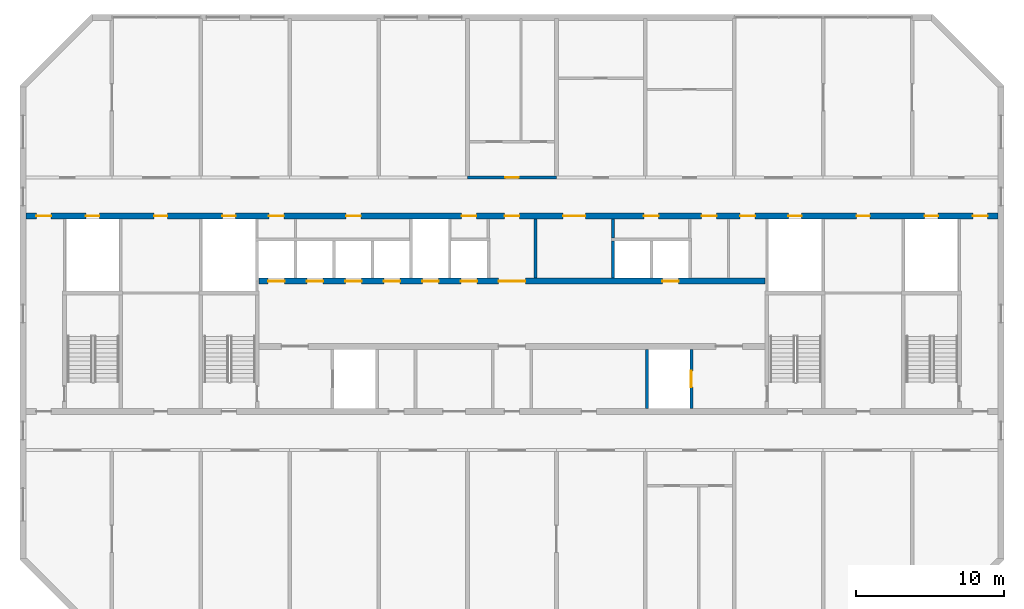
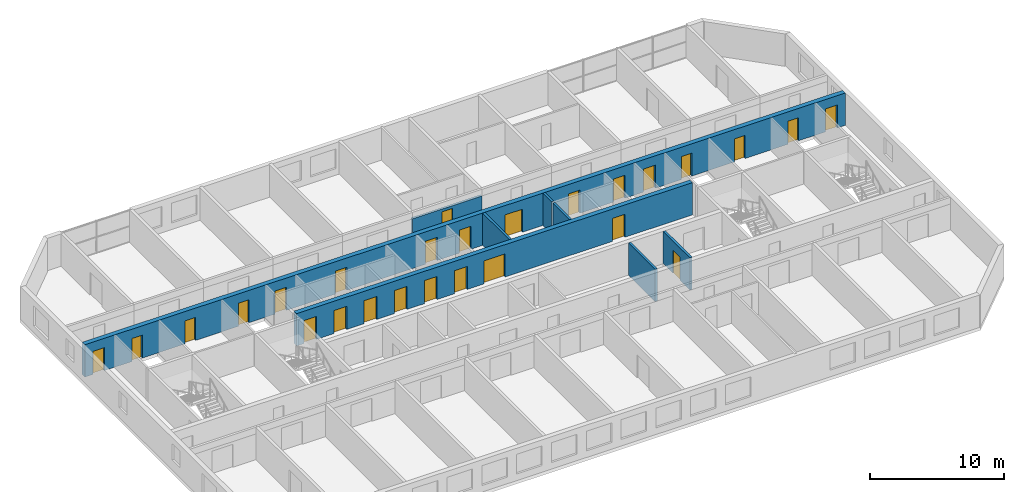
# One storey, part 8 of 13: 26 doors, 8 walls, 26 openings.
"""IFC4 building model written with IfcOpenShell, lengths in metres."""

import ifcopenshell
import ifcopenshell.guid

model = None  # the IFC model being written
_history = None  # IfcOwnerHistory: only IFC2X3 demands one
_inside = {}  # id of a spatial element -> (the spatial element, [elements in it])
_under = {}  # id of a project, library or spatial element -> (it, [spatial elements below it])
_declared = {}  # id of a project -> (the project, [libraries it declares])
_typed = {}  # id of a type object -> (the type object, [elements of that type])
_made_of = {}  # id of a material, layer set ... -> (it, [elements and type objects made of it])


def new_model(schema):
    """Start an empty IFC model of exactly this schema.

    Asked for "IFC4X3", IfcOpenShell would pick the latest addendum, in which some entities
    have other attributes; the version numbers below select the first issue.
    IFC2X3 requires an IfcOwnerHistory on every rooted entity: one is made here for all.
    """
    global model, _history
    if schema == "IFC4X3":
        model = ifcopenshell.file(schema_version=(4, 3, 0, 0))
    else:
        model = ifcopenshell.file(schema=schema)
    _inside.clear()
    _under.clear()
    _declared.clear()
    _typed.clear()
    _made_of.clear()
    _history = None
    if model.schema == "IFC2X3":
        org = make("IfcOrganization", Name="unknown")
        user = make(
            "IfcPersonAndOrganization",
            ThePerson=make("IfcPerson", FamilyName="unknown"),
            TheOrganization=org,
        )
        app = make(
            "IfcApplication",
            ApplicationDeveloper=org,
            Version="unknown",
            ApplicationFullName="unknown",
            ApplicationIdentifier="unknown",
        )
        _history = make(
            "IfcOwnerHistory",
            OwningUser=user,
            OwningApplication=app,
            ChangeAction="ADDED",
            CreationDate=0,
        )
    return model


def make(cls, **values):
    """One entity of the class cls with the attributes given. An attribute that is None is left unset."""
    return model.create_entity(
        cls, **{name: value for name, value in values.items() if value is not None}
    )


def rooted(cls, **values):
    """An entity with a GlobalId (a new one), such as an element, a storey or a relation."""
    return make(cls, GlobalId=ifcopenshell.guid.new(), OwnerHistory=_history, **values)


def si_unit(unit_type, name, prefix=None):
    """IfcSIUnit, for example si_unit("LENGTHUNIT", "METRE", prefix="MILLI")."""
    return make("IfcSIUnit", UnitType=unit_type, Prefix=prefix, Name=name)


def assignment(units):
    """IfcUnitAssignment: the units of a project."""
    return None if units is None else make("IfcUnitAssignment", Units=units)


def point(xyz):
    """IfcCartesianPoint."""
    return None if xyz is None else make("IfcCartesianPoint", Coordinates=xyz)


def direction(xyz):
    """IfcDirection."""
    return None if xyz is None else make("IfcDirection", DirectionRatios=xyz)


def frame(location, z_axis=None, x_axis=None):
    """IfcAxis2Placement3D, a coordinate frame: its origin and axes. An axis left out is left unset."""
    return make(
        "IfcAxis2Placement3D",
        Location=point(location),
        Axis=direction(z_axis),
        RefDirection=direction(x_axis),
    )


def frame_2d(location, x_axis=None):
    """IfcAxis2Placement2D, a coordinate frame in the plane: its origin and x axis."""
    return make(
        "IfcAxis2Placement2D", Location=point(location), RefDirection=direction(x_axis)
    )


def origin():
    """The frame at (0, 0, 0) with its axes left unset."""
    return frame((0.0, 0.0, 0.0))


def place(relative_to, where):
    """IfcLocalPlacement: puts the frame where relative to a parent placement (None: the world)."""
    return make(
        "IfcLocalPlacement", PlacementRelTo=relative_to, RelativePlacement=where
    )


def context(
    kind, dimensions, precision=None, world=None, true_north=None, identifier=None
):
    """IfcGeometricRepresentationContext, for example the 3D "Model" context."""
    return make(
        "IfcGeometricRepresentationContext",
        ContextIdentifier=identifier,
        ContextType=kind,
        CoordinateSpaceDimension=dimensions,
        Precision=precision,
        WorldCoordinateSystem=world,
        TrueNorth=true_north,
    )


def subcontext(parent, identifier, kind, view, scale=None):
    """IfcGeometricRepresentationSubContext, for example "Body" below "Model"."""
    return make(
        "IfcGeometricRepresentationSubContext",
        ContextIdentifier=identifier,
        ContextType=kind,
        ParentContext=parent,
        TargetScale=scale,
        TargetView=view,
    )


def project(units=None, contexts=None):
    """IfcProject with its units and contexts."""
    return rooted(
        "IfcProject",
        Name="project",
        RepresentationContexts=contexts,
        UnitsInContext=assignment(units),
    )


def spatial(cls, under=None, at=None, **own):
    """A site, building, storey or space (cls), placed at a placement, below another one or the project."""
    s = rooted(cls, ObjectPlacement=at, **own)
    if under is not None:
        _under.setdefault(under.id(), (under, []))[1].append(s)
    return s


def profile(cls, at=None, kind="AREA", **sizes):
    """A parametric profile (cls). Its sizes go by their IFC names, for example OverallWidth=200.0."""
    return make(cls, ProfileType=kind, Position=at, **sizes)


def rectangle(**sizes):
    """IfcRectangleProfileDef."""
    return profile("IfcRectangleProfileDef", **sizes)


def extrude(swept, where, along, depth):
    """IfcExtrudedAreaSolid: the profile swept, set in the frame where, extruded along a direction by depth."""
    return make(
        "IfcExtrudedAreaSolid",
        SweptArea=swept,
        Position=where,
        ExtrudedDirection=direction(along),
        Depth=depth,
    )


def shape(context_of_items, identifier, shape_type, items):
    """IfcShapeRepresentation: the items that make up one representation, for example the "Body"."""
    return make(
        "IfcShapeRepresentation",
        ContextOfItems=context_of_items,
        RepresentationIdentifier=identifier,
        RepresentationType=shape_type,
        Items=items,
    )


def material(Name=None, Category=None):
    """IfcMaterial."""
    return make("IfcMaterial", Name=Name, Category=Category)


def layer(
    of_material, thickness, ventilated=None, Name=None, Category=None, Priority=None
):
    """IfcMaterialLayer: one layer of a wall or slab, of a material (None: an air gap)."""
    return make(
        "IfcMaterialLayer",
        Material=of_material,
        LayerThickness=thickness,
        IsVentilated=ventilated,
        Name=Name,
        Category=Category,
        Priority=Priority,
    )


def layer_set(layers, Name=None):
    """IfcMaterialLayerSet."""
    return make("IfcMaterialLayerSet", MaterialLayers=layers, LayerSetName=Name)


def made_of(thing, what):
    """Note that an element or type object is made of a material, layer set ...; save() writes the relation."""
    if what is not None:
        _made_of.setdefault(what.id(), (what, []))[1].append(thing)
    return thing


def type_object(cls, material=None, **own):
    """A type object (cls), such as IfcWallType, which elements share."""
    return made_of(rooted(cls, **own), material)


def element(
    cls,
    number,
    at=None,
    inside=None,
    cuts=None,
    type_object=None,
    material=None,
    context=None,
    identifier="Body",
    shape_type=None,
    held_by="IfcProductDefinitionShape",
    body=None,
    shapes=None,
    **own,
):
    """One element of the class cls, such as IfcWall. Its Tag is "e" and its number.

    at: its placement. inside: the storey or other place that contains it. cuts: it is an
    opening in that element (IfcRelVoidsElement). A single representation is given by context,
    identifier, shape_type and body (its items); several are given by shapes. held_by: the class
    of the entity that holds the representations. save() writes the other relations.
    """
    e = rooted(cls, Tag="e%d" % number, ObjectPlacement=at, **own)
    if body is not None:
        shapes = [shape(context, identifier, shape_type, body)]
    if shapes is not None:
        e.Representation = make(held_by, Representations=shapes)
    if inside is not None:
        _inside.setdefault(inside.id(), (inside, []))[1].append(e)
    if cuts is not None:
        rooted(
            "IfcRelVoidsElement", RelatingBuildingElement=cuts, RelatedOpeningElement=e
        )
    if type_object is not None:
        _typed.setdefault(type_object.id(), (type_object, []))[1].append(e)
    return made_of(e, material)


def fill(opening, filler):
    """IfcRelFillsElement: the door or window that sits in an opening."""
    return rooted(
        "IfcRelFillsElement",
        RelatingOpeningElement=opening,
        RelatedBuildingElement=filler,
    )


def aggregate(whole, parts):
    """IfcRelAggregates: a whole, such as a stair, and the parts it consists of."""
    return rooted("IfcRelAggregates", RelatingObject=whole, RelatedObjects=parts)


def save(model, path):
    """Write the relations noted so far, then the file.

    IfcRelAggregates (storeys below a building ...), IfcRelContainedInSpatialStructure (elements
    in a storey), IfcRelDefinesByType, IfcRelAssociatesMaterial and IfcRelDeclares: one each for
    every whole, place, type object, material and project.
    """
    for whole, parts in _under.values():
        aggregate(whole, parts)
    for where, things in _inside.values():
        rooted(
            "IfcRelContainedInSpatialStructure",
            RelatedElements=things,
            RelatingStructure=where,
        )
    for kind, things in _typed.values():
        rooted("IfcRelDefinesByType", RelatedObjects=things, RelatingType=kind)
    for what, things in _made_of.values():
        rooted("IfcRelAssociatesMaterial", RelatedObjects=things, RelatingMaterial=what)
    for by, libraries in _declared.values():
        rooted("IfcRelDeclares", RelatingContext=by, RelatedDefinitions=libraries)
    model.write(path)


model = new_model("IFC4")

# Units and contexts
model_context = context("Model", 3, precision=1e-05, world=origin(), true_north=direction((0.0, 1.0)))
body_context = subcontext(model_context, "Body", "Model", "MODEL_VIEW")
ifc_project = project(units=[si_unit("LENGTHUNIT", "METRE"), si_unit("AREAUNIT", "SQUARE_METRE"), si_unit("VOLUMEUNIT", "CUBIC_METRE"), si_unit("PLANEANGLEUNIT", "RADIAN"), si_unit("MASSUNIT", "GRAM", prefix="KILO")], contexts=[model_context])

# Site, building, storey
site_placement = place(None, origin())
site = spatial("IfcSite", under=ifc_project, at=site_placement, CompositionType="ELEMENT")
building_placement = place(site_placement, origin())
building = spatial("IfcBuilding", under=site, at=building_placement, Name="Poui Terraces", CompositionType="ELEMENT")
storey_placement = place(building_placement, frame((0.0, 0.0, 211.5)))
storey = spatial("IfcBuildingStorey", under=building, at=storey_placement, Name="L59", CompositionType="ELEMENT", Elevation=211.5)

# Wall, openings, doors
ifc_material_1 = material(Name="Concrete 50 MPa", Category="concrete")
ifc_layer_1 = layer(ifc_material_1, 0.39990234375)
ifc_layer_set_1 = layer_set([ifc_layer_1], Name="Concrete 50 MPa")
wall_type_1 = type_object("IfcWallType", Name="CORE WALL 400 50 MPA", PredefinedType="SOLIDWALL", material=ifc_layer_set_1)
wall_1_placement = place(storey_placement, frame((33.925048828125, 23.39990234375, 0.0), z_axis=(0.0, 0.0, 1.0), x_axis=(1.0, 0.0, 0.0)))
wall_1 = element("IfcWall", 1, at=wall_1_placement, inside=storey, type_object=wall_type_1, Name="CORE WALL", PredefinedType="SOLIDWALL", context=body_context, shape_type="SweptSolid", body=[
    extrude(rectangle(XDim=34.14990234375, YDim=0.39990234375, at=frame_2d((17.074951171875, 0.0))), origin(), (0.0, 0.0, 1.0), 2.949951171875),
])
opening_1_placement = place(wall_1_placement, frame((16.175048828125, 0.0, 0.0)))
opening_1 = element("IfcOpeningElement", 2, at=opening_1_placement, cuts=wall_1, Name="Opening FDD60", PredefinedType="OPENING", context=body_context, shape_type="SweptSolid", body=[
    extrude(rectangle(XDim=1.800048828125, YDim=2.10009765625, at=frame_2d((0.89990234375, 1.050048828125))), frame((0.0, 0.2099609375, 0.0), z_axis=(0.0, -1.0, 0.0), x_axis=(1.0, 0.0, 0.0)), (0.0, 0.0, 1.0), 0.419921875),
])
opening_2_placement = place(wall_1_placement, frame((0.625, 0.0, 0.0)))
opening_2 = element("IfcOpeningElement", 3, at=opening_2_placement, cuts=wall_1, Name="Opening LD", PredefinedType="OPENING", context=body_context, shape_type="SweptSolid", body=[
    extrude(rectangle(XDim=1.10009765625, YDim=2.10009765625, at=frame_2d((0.550048828125, 1.050048828125))), frame((0.0, 0.2099609375, 0.0), z_axis=(0.0, -1.0, 0.0), x_axis=(1.0, 0.0, 0.0)), (0.0, 0.0, 1.0), 0.419921875),
])
opening_3_placement = place(wall_1_placement, frame((3.22509765625, 0.0, 0.0)))
opening_3 = element("IfcOpeningElement", 4, at=opening_3_placement, cuts=wall_1, Name="Opening LD", PredefinedType="OPENING", context=body_context, shape_type="SweptSolid", body=[
    extrude(rectangle(XDim=1.10009765625, YDim=2.10009765625, at=frame_2d((0.550048828125, 1.050048828125))), frame((0.0, 0.2099609375, 0.0), z_axis=(0.0, -1.0, 0.0), x_axis=(1.0, 0.0, 0.0)), (0.0, 0.0, 1.0), 0.419921875),
])
opening_4_placement = place(wall_1_placement, frame((5.824951171875, 0.0, 0.0)))
opening_4 = element("IfcOpeningElement", 5, at=opening_4_placement, cuts=wall_1, Name="Opening LD", PredefinedType="OPENING", context=body_context, shape_type="SweptSolid", body=[
    extrude(rectangle(XDim=1.10009765625, YDim=2.10009765625, at=frame_2d((0.550048828125, 1.050048828125))), frame((0.0, 0.2099609375, 0.0), z_axis=(0.0, -1.0, 0.0), x_axis=(1.0, 0.0, 0.0)), (0.0, 0.0, 1.0), 0.419921875),
])
opening_5_placement = place(wall_1_placement, frame((8.425048828125, 0.0, 0.0)))
opening_5 = element("IfcOpeningElement", 6, at=opening_5_placement, cuts=wall_1, Name="Opening LD", PredefinedType="OPENING", context=body_context, shape_type="SweptSolid", body=[
    extrude(rectangle(XDim=1.10009765625, YDim=2.10009765625, at=frame_2d((0.550048828125, 1.050048828125))), frame((0.0, 0.2099609375, 0.0), z_axis=(0.0, -1.0, 0.0), x_axis=(1.0, 0.0, 0.0)), (0.0, 0.0, 1.0), 0.419921875),
])
opening_6_placement = place(wall_1_placement, frame((11.02490234375, 0.0, 0.0)))
opening_6 = element("IfcOpeningElement", 7, at=opening_6_placement, cuts=wall_1, Name="Opening LD", PredefinedType="OPENING", context=body_context, shape_type="SweptSolid", body=[
    extrude(rectangle(XDim=1.10009765625, YDim=2.10009765625, at=frame_2d((0.550048828125, 1.050048828125))), frame((0.0, 0.2099609375, 0.0), z_axis=(0.0, -1.0, 0.0), x_axis=(1.0, 0.0, 0.0)), (0.0, 0.0, 1.0), 0.419921875),
])
opening_7_placement = place(wall_1_placement, frame((13.625, 0.0, 0.0)))
opening_7 = element("IfcOpeningElement", 8, at=opening_7_placement, cuts=wall_1, Name="Opening LD", PredefinedType="OPENING", context=body_context, shape_type="SweptSolid", body=[
    extrude(rectangle(XDim=1.10009765625, YDim=2.10009765625, at=frame_2d((0.550048828125, 1.050048828125))), frame((0.0, 0.2099609375, 0.0), z_axis=(0.0, -1.0, 0.0), x_axis=(1.0, 0.0, 0.0)), (0.0, 0.0, 1.0), 0.419921875),
])
opening_8_placement = place(wall_1_placement, frame((27.22509765625, 0.0, 0.0)))
opening_8 = element("IfcOpeningElement", 9, at=opening_8_placement, cuts=wall_1, Name="Opening LD", PredefinedType="OPENING", context=body_context, shape_type="SweptSolid", body=[
    extrude(rectangle(XDim=1.10009765625, YDim=2.10009765625, at=frame_2d((0.550048828125, 1.050048828125))), frame((0.0, 0.2099609375, 0.0), z_axis=(0.0, -1.0, 0.0), x_axis=(1.0, 0.0, 0.0)), (0.0, 0.0, 1.0), 0.419921875),
])
ifc_material_2 = material(Name="Steel fire door", Category="steel")
door_type_1 = type_object("IfcDoorType", Name="DOUBLE LOBBY FIRE DOOR 1800 X 2100", OperationType="DOUBLE_DOOR_SINGLE_SWING", PredefinedType="DOOR", material=ifc_material_2)
door_1_placement = place(opening_1_placement, origin())
door_1 = element("IfcDoor", 10, at=door_1_placement, inside=storey, type_object=door_type_1, Name="DOUBLE LOBBY FIRE DOOR 064", OperationType="DOUBLE_DOOR_SINGLE_SWING", OverallHeight=2.10009765625, OverallWidth=1.800048828125, PredefinedType="DOOR", context=body_context, shape_type="SweptSolid", body=[
    extrude(rectangle(XDim=1.800048828125, YDim=2.10009765625, at=frame_2d((0.89990234375, 1.050048828125))), frame((0.0, 0.02490234375, 0.0), z_axis=(0.0, -1.0, 0.0), x_axis=(1.0, 0.0, 0.0)), (0.0, 0.0, 1.0), 0.050048828125),
])
fill(opening_1, door_1)
ifc_material_3 = material(Name="Stainless steel sliding door", Category="steel")
door_type_2 = type_object("IfcDoorType", Name="LIFT LANDING DOOR 1100 X 2100", OperationType="DOUBLE_DOOR_SLIDING", PredefinedType="DOOR", material=ifc_material_3)
door_2_placement = place(opening_2_placement, origin())
door_2 = element("IfcDoor", 11, at=door_2_placement, inside=storey, type_object=door_type_2, Name="LANDING DOOR", OperationType="DOUBLE_DOOR_SLIDING", OverallHeight=2.10009765625, OverallWidth=1.10009765625, PredefinedType="DOOR", context=body_context, shape_type="SweptSolid", body=[
    extrude(rectangle(XDim=1.10009765625, YDim=2.10009765625, at=frame_2d((0.550048828125, 1.050048828125))), frame((0.0, 0.02490234375, 0.0), z_axis=(0.0, -1.0, 0.0), x_axis=(1.0, 0.0, 0.0)), (0.0, 0.0, 1.0), 0.050048828125),
])
fill(opening_2, door_2)
door_3_placement = place(opening_3_placement, origin())
door_3 = element("IfcDoor", 12, at=door_3_placement, inside=storey, type_object=door_type_2, Name="LANDING DOOR", OperationType="DOUBLE_DOOR_SLIDING", OverallHeight=2.10009765625, OverallWidth=1.10009765625, PredefinedType="DOOR", context=body_context, shape_type="SweptSolid", body=[
    extrude(rectangle(XDim=1.10009765625, YDim=2.10009765625, at=frame_2d((0.550048828125, 1.050048828125))), frame((0.0, 0.02490234375, 0.0), z_axis=(0.0, -1.0, 0.0), x_axis=(1.0, 0.0, 0.0)), (0.0, 0.0, 1.0), 0.050048828125),
])
fill(opening_3, door_3)
door_4_placement = place(opening_4_placement, origin())
door_4 = element("IfcDoor", 13, at=door_4_placement, inside=storey, type_object=door_type_2, Name="LANDING DOOR", OperationType="DOUBLE_DOOR_SLIDING", OverallHeight=2.10009765625, OverallWidth=1.10009765625, PredefinedType="DOOR", context=body_context, shape_type="SweptSolid", body=[
    extrude(rectangle(XDim=1.10009765625, YDim=2.10009765625, at=frame_2d((0.550048828125, 1.050048828125))), frame((0.0, 0.02490234375, 0.0), z_axis=(0.0, -1.0, 0.0), x_axis=(1.0, 0.0, 0.0)), (0.0, 0.0, 1.0), 0.050048828125),
])
fill(opening_4, door_4)
door_5_placement = place(opening_5_placement, origin())
door_5 = element("IfcDoor", 14, at=door_5_placement, inside=storey, type_object=door_type_2, Name="LANDING DOOR", OperationType="DOUBLE_DOOR_SLIDING", OverallHeight=2.10009765625, OverallWidth=1.10009765625, PredefinedType="DOOR", context=body_context, shape_type="SweptSolid", body=[
    extrude(rectangle(XDim=1.10009765625, YDim=2.10009765625, at=frame_2d((0.550048828125, 1.050048828125))), frame((0.0, 0.02490234375, 0.0), z_axis=(0.0, -1.0, 0.0), x_axis=(1.0, 0.0, 0.0)), (0.0, 0.0, 1.0), 0.050048828125),
])
fill(opening_5, door_5)
door_6_placement = place(opening_6_placement, origin())
door_6 = element("IfcDoor", 15, at=door_6_placement, inside=storey, type_object=door_type_2, Name="LANDING DOOR", OperationType="DOUBLE_DOOR_SLIDING", OverallHeight=2.10009765625, OverallWidth=1.10009765625, PredefinedType="DOOR", context=body_context, shape_type="SweptSolid", body=[
    extrude(rectangle(XDim=1.10009765625, YDim=2.10009765625, at=frame_2d((0.550048828125, 1.050048828125))), frame((0.0, 0.02490234375, 0.0), z_axis=(0.0, -1.0, 0.0), x_axis=(1.0, 0.0, 0.0)), (0.0, 0.0, 1.0), 0.050048828125),
])
fill(opening_6, door_6)
door_7_placement = place(opening_7_placement, origin())
door_7 = element("IfcDoor", 16, at=door_7_placement, inside=storey, type_object=door_type_2, Name="LANDING DOOR", OperationType="DOUBLE_DOOR_SLIDING", OverallHeight=2.10009765625, OverallWidth=1.10009765625, PredefinedType="DOOR", context=body_context, shape_type="SweptSolid", body=[
    extrude(rectangle(XDim=1.10009765625, YDim=2.10009765625, at=frame_2d((0.550048828125, 1.050048828125))), frame((0.0, 0.02490234375, 0.0), z_axis=(0.0, -1.0, 0.0), x_axis=(1.0, 0.0, 0.0)), (0.0, 0.0, 1.0), 0.050048828125),
])
fill(opening_7, door_7)
door_8_placement = place(opening_8_placement, origin())
door_8 = element("IfcDoor", 17, at=door_8_placement, inside=storey, type_object=door_type_2, Name="LANDING DOOR", OperationType="DOUBLE_DOOR_SLIDING", OverallHeight=2.10009765625, OverallWidth=1.10009765625, PredefinedType="DOOR", context=body_context, shape_type="SweptSolid", body=[
    extrude(rectangle(XDim=1.10009765625, YDim=2.10009765625, at=frame_2d((0.550048828125, 1.050048828125))), frame((0.0, 0.02490234375, 0.0), z_axis=(0.0, -1.0, 0.0), x_axis=(1.0, 0.0, 0.0)), (0.0, 0.0, 1.0), 0.050048828125),
])
fill(opening_8, door_8)

# Wall, opening, door
ifc_layer_2 = layer(ifc_material_1, 0.199951171875)
ifc_layer_set_2 = layer_set([ifc_layer_2], Name="Concrete 50 MPa")
wall_type_2 = type_object("IfcWallType", Name="CORRIDOR WALL 200 50MPa", PredefinedType="SHEAR", material=ifc_layer_set_2)
wall_2_placement = place(storey_placement, frame((48.0, 30.39990234375, 0.0), z_axis=(0.0, 0.0, 1.0), x_axis=(1.0, 0.0, 0.0)))
wall_2 = element("IfcWall", 18, at=wall_2_placement, inside=storey, type_object=wall_type_2, Name="CORRIDOR WALL LINE E BAY 6", PredefinedType="SHEAR", context=body_context, shape_type="SweptSolid", body=[
    extrude(rectangle(XDim=6.0, YDim=0.199951171875, at=frame_2d((3.0, 0.0))), origin(), (0.0, 0.0, 1.0), 2.35009765625),
])
opening_9_placement = place(wall_2_placement, frame((2.550048828125, 0.0, 0.0)))
opening_9 = element("IfcOpeningElement", 19, at=opening_9_placement, cuts=wall_2, Name="Opening D90", PredefinedType="OPENING", context=body_context, shape_type="SweptSolid", body=[
    extrude(rectangle(XDim=0.89990234375, YDim=2.10009765625, at=frame_2d((0.449951171875, 1.050048828125))), frame((0.0, 0.10986328125, 0.0), z_axis=(0.0, -1.0, 0.0), x_axis=(1.0, 0.0, 0.0)), (0.0, 0.0, 1.0), 0.219970703125),
])
ifc_material_4 = material(Name="Solid core timber door", Category="wood")
door_type_3 = type_object("IfcDoorType", Name="INTERNAL DOOR 900 X 2100", OperationType="NOTDEFINED", PredefinedType="DOOR", material=ifc_material_4)
door_9_placement = place(opening_9_placement, frame((0.89990234375, 0.0, 0.0), z_axis=(0.0, 0.0, 1.0), x_axis=(-1.0, 0.0, 0.0)))
door_9 = element("IfcDoor", 20, at=door_9_placement, inside=storey, type_object=door_type_3, Name="INTERNAL DOOR 014", OperationType="SINGLE_SWING_LEFT", OverallHeight=2.10009765625, OverallWidth=0.89990234375, PredefinedType="DOOR", context=body_context, shape_type="SweptSolid", body=[
    extrude(rectangle(XDim=0.89990234375, YDim=2.10009765625, at=frame_2d((0.449951171875, 1.050048828125))), frame((0.0, 0.02490234375, 0.0), z_axis=(0.0, -1.0, 0.0), x_axis=(1.0, 0.0, 0.0)), (0.0, 0.0, 1.0), 0.050048828125),
])
fill(opening_9, door_9)

# Walls
ifc_material_5 = material(Name="Fire-rated masonry wall", Category="masonry")
ifc_layer_3 = layer(ifc_material_5, 0.199951171875)
ifc_layer_set_3 = layer_set([ifc_layer_3], Name="Fire-rated masonry wall")
wall_type_3 = type_object("IfcWallType", Name="PLANT ROOM WALL 200", PredefinedType="PARTITIONING", material=ifc_layer_set_3)
wall_3_placement = place(storey_placement, frame((52.60009765625, 23.610107421875, 0.0), z_axis=(0.0, 0.0, 1.0), x_axis=(0.0, 1.0, 0.0)))
element("IfcWall", 21, at=wall_3_placement, inside=storey, type_object=wall_type_3, Name="PLANT ROOM WALL 200", PredefinedType="PARTITIONING", context=body_context, shape_type="SweptSolid", body=[
    extrude(rectangle(XDim=3.97998046875, YDim=0.199951171875, at=frame_2d((1.989990234375, 0.0))), origin(), (0.0, 0.0, 1.0), 2.949951171875),
])
wall_4_placement = place(storey_placement, frame((57.800048828125, 26.300048828125, 0.0), z_axis=(0.0, 0.0, 1.0), x_axis=(0.0, 1.0, 0.0)))
element("IfcWall", 22, at=wall_4_placement, inside=storey, type_object=wall_type_3, Name="PLANT ROOM WALL 200", PredefinedType="PARTITIONING", context=body_context, shape_type="SweptSolid", body=[
    extrude(rectangle(XDim=1.2900390625, YDim=0.199951171875, at=frame_2d((0.64501953125, 0.0))), origin(), (0.0, 0.0, 1.0), 2.949951171875),
])
ifc_material_6 = material(Name="Fire-rated masonry shaft wall", Category="masonry")
ifc_layer_4 = layer(ifc_material_6, 0.199951171875)
ifc_layer_set_4 = layer_set([ifc_layer_4], Name="Fire-rated masonry shaft wall")
wall_type_4 = type_object("IfcWallType", Name="SHAFT WALL 200", PredefinedType="PARTITIONING", material=ifc_layer_set_4)
wall_5_placement = place(storey_placement, frame((57.800048828125, 23.610107421875, 0.0), z_axis=(0.0, 0.0, 1.0), x_axis=(0.0, 1.0, 0.0)))
element("IfcWall", 23, at=wall_5_placement, inside=storey, type_object=wall_type_4, Name="SHAFT WALL 200", PredefinedType="PARTITIONING", context=body_context, shape_type="SweptSolid", body=[
    extrude(rectangle(XDim=2.489990234375, YDim=0.199951171875, at=frame_2d((1.2451171875, 0.0))), origin(), (0.0, 0.0, 1.0), 2.949951171875),
])
wall_6_placement = place(storey_placement, frame((60.10009765625, 14.81005859375, 0.0), z_axis=(0.0, 0.0, 1.0), x_axis=(0.0, 1.0, 0.0)))
element("IfcWall", 24, at=wall_6_placement, inside=storey, type_object=wall_type_4, Name="SHAFT WALL 200", PredefinedType="PARTITIONING", context=body_context, shape_type="SweptSolid", body=[
    extrude(rectangle(XDim=3.97998046875, YDim=0.199951171875, at=frame_2d((1.989990234375, 0.0))), origin(), (0.0, 0.0, 1.0), 2.949951171875),
])

# Wall, opening, door
wall_7_placement = place(storey_placement, frame((63.10009765625, 14.81005859375, 0.0), z_axis=(0.0, 0.0, 1.0), x_axis=(0.0, 1.0, 0.0)))
wall_7 = element("IfcWall", 25, at=wall_7_placement, inside=storey, type_object=wall_type_4, Name="SHAFT WALL 200", PredefinedType="PARTITIONING", context=body_context, shape_type="SweptSolid", body=[
    extrude(rectangle(XDim=3.97998046875, YDim=0.199951171875, at=frame_2d((1.989990234375, 0.0))), origin(), (0.0, 0.0, 1.0), 2.949951171875),
])
opening_10_placement = place(wall_7_placement, frame((1.43994140625, 0.0, 0.0)))
opening_10 = element("IfcOpeningElement", 26, at=opening_10_placement, cuts=wall_7, Name="Opening LD", PredefinedType="OPENING", context=body_context, shape_type="SweptSolid", body=[
    extrude(rectangle(XDim=1.10009765625, YDim=2.10009765625, at=frame_2d((0.550048828125, 1.050048828125))), frame((0.0, 0.10986328125, 0.0), z_axis=(0.0, -1.0, 0.0), x_axis=(1.0, 0.0, 0.0)), (0.0, 0.0, 1.0), 0.219970703125),
])
door_10_placement = place(opening_10_placement, origin())
door_10 = element("IfcDoor", 27, at=door_10_placement, inside=storey, type_object=door_type_2, Name="LANDING DOOR", OperationType="DOUBLE_DOOR_SLIDING", OverallHeight=2.10009765625, OverallWidth=1.10009765625, PredefinedType="DOOR", context=body_context, shape_type="SweptSolid", body=[
    extrude(rectangle(XDim=1.10009765625, YDim=2.10009765625, at=frame_2d((0.550048828125, 1.050048828125))), frame((0.0, 0.02490234375, 0.0), z_axis=(0.0, -1.0, 0.0), x_axis=(1.0, 0.0, 0.0)), (0.0, 0.0, 1.0), 0.050048828125),
])
fill(opening_10, door_10)

# Wall, openings, doors
ifc_layer_5 = layer(ifc_material_1, 0.39990234375)
ifc_layer_set_5 = layer_set([ifc_layer_5], Name="Concrete 50 MPa")
wall_type_5 = type_object("IfcWallType", Name="SPINE WALL 400 50 MPA", PredefinedType="SOLIDWALL", material=ifc_layer_set_5)
wall_8_placement = place(storey_placement, frame((18.199951171875, 27.800048828125, 0.0), z_axis=(0.0, 0.0, 1.0), x_axis=(1.0, 0.0, 0.0)))
wall_8 = element("IfcWall", 28, at=wall_8_placement, inside=storey, type_object=wall_type_5, Name="SPINE WALL", PredefinedType="SOLIDWALL", context=body_context, shape_type="SweptSolid", body=[
    extrude(rectangle(XDim=65.60009765625, YDim=0.39990234375, at=frame_2d((32.800048828125, 0.0))), origin(), (0.0, 0.0, 1.0), 2.949951171875),
])
opening_11_placement = place(wall_8_placement, frame((0.699951171875, 0.0, 0.0)))
opening_11 = element("IfcOpeningElement", 29, at=opening_11_placement, cuts=wall_8, Name="Opening FDL", PredefinedType="OPENING", context=body_context, shape_type="SweptSolid", body=[
    extrude(rectangle(XDim=1.0, YDim=2.10009765625, at=frame_2d((0.5, 1.050048828125))), frame((0.0, 0.2099609375, 0.0), z_axis=(0.0, -1.0, 0.0), x_axis=(1.0, 0.0, 0.0)), (0.0, 0.0, 1.0), 0.419921875),
])
opening_12_placement = place(wall_8_placement, frame((4.050048828125, 0.0, 0.0)))
opening_12 = element("IfcOpeningElement", 30, at=opening_12_placement, cuts=wall_8, Name="Opening FDR", PredefinedType="OPENING", context=body_context, shape_type="SweptSolid", body=[
    extrude(rectangle(XDim=0.89990234375, YDim=2.10009765625, at=frame_2d((0.449951171875, 1.050048828125))), frame((0.0, 0.2099609375, 0.0), z_axis=(0.0, -1.0, 0.0), x_axis=(1.0, 0.0, 0.0)), (0.0, 0.0, 1.0), 0.419921875),
])
opening_13_placement = place(wall_8_placement, frame((8.64990234375, 0.0, 0.0)))
opening_13 = element("IfcOpeningElement", 31, at=opening_13_placement, cuts=wall_8, Name="Opening D90", PredefinedType="OPENING", context=body_context, shape_type="SweptSolid", body=[
    extrude(rectangle(XDim=0.89990234375, YDim=2.10009765625, at=frame_2d((0.449951171875, 1.050048828125))), frame((0.0, 0.2099609375, 0.0), z_axis=(0.0, -1.0, 0.0), x_axis=(1.0, 0.0, 0.0)), (0.0, 0.0, 1.0), 0.419921875),
])
opening_14_placement = place(wall_8_placement, frame((13.25, 0.0, 0.0)))
opening_14 = element("IfcOpeningElement", 32, at=opening_14_placement, cuts=wall_8, Name="Opening FDR", PredefinedType="OPENING", context=body_context, shape_type="SweptSolid", body=[
    extrude(rectangle(XDim=0.89990234375, YDim=2.10009765625, at=frame_2d((0.449951171875, 1.050048828125))), frame((0.0, 0.2099609375, 0.0), z_axis=(0.0, -1.0, 0.0), x_axis=(1.0, 0.0, 0.0)), (0.0, 0.0, 1.0), 0.419921875),
])
opening_15_placement = place(wall_8_placement, frame((16.39990234375, 0.0, 0.0)))
opening_15 = element("IfcOpeningElement", 33, at=opening_15_placement, cuts=wall_8, Name="Opening FD60", PredefinedType="OPENING", context=body_context, shape_type="SweptSolid", body=[
    extrude(rectangle(XDim=1.0, YDim=2.10009765625, at=frame_2d((0.5, 1.050048828125))), frame((0.0, 0.2099609375, 0.0), z_axis=(0.0, -1.0, 0.0), x_axis=(1.0, 0.0, 0.0)), (0.0, 0.0, 1.0), 0.419921875),
])
opening_16_placement = place(wall_8_placement, frame((21.60009765625, 0.0, 0.0)))
opening_16 = element("IfcOpeningElement", 34, at=opening_16_placement, cuts=wall_8, Name="Opening FD60", PredefinedType="OPENING", context=body_context, shape_type="SweptSolid", body=[
    extrude(rectangle(XDim=1.0, YDim=2.10009765625, at=frame_2d((0.5, 1.050048828125))), frame((0.0, 0.2099609375, 0.0), z_axis=(0.0, -1.0, 0.0), x_axis=(1.0, 0.0, 0.0)), (0.0, 0.0, 1.0), 0.419921875),
])
opening_17_placement = place(wall_8_placement, frame((29.39990234375, 0.0, 0.0)))
opening_17 = element("IfcOpeningElement", 35, at=opening_17_placement, cuts=wall_8, Name="Opening FD60", PredefinedType="OPENING", context=body_context, shape_type="SweptSolid", body=[
    extrude(rectangle(XDim=1.0, YDim=2.10009765625, at=frame_2d((0.5, 1.050048828125))), frame((0.0, 0.2099609375, 0.0), z_axis=(0.0, -1.0, 0.0), x_axis=(1.0, 0.0, 0.0)), (0.0, 0.0, 1.0), 0.419921875),
])
opening_18_placement = place(wall_8_placement, frame((32.300048828125, 0.0, 0.0)))
opening_18 = element("IfcOpeningElement", 36, at=opening_18_placement, cuts=wall_8, Name="Opening FDL", PredefinedType="OPENING", context=body_context, shape_type="SweptSolid", body=[
    extrude(rectangle(XDim=1.0, YDim=2.10009765625, at=frame_2d((0.5, 1.050048828125))), frame((0.0, 0.2099609375, 0.0), z_axis=(0.0, -1.0, 0.0), x_axis=(1.0, 0.0, 0.0)), (0.0, 0.0, 1.0), 0.419921875),
])
opening_19_placement = place(wall_8_placement, frame((36.25, 0.0, 0.0)))
opening_19 = element("IfcOpeningElement", 37, at=opening_19_placement, cuts=wall_8, Name="Opening FDP", PredefinedType="OPENING", context=body_context, shape_type="SweptSolid", body=[
    extrude(rectangle(XDim=1.5, YDim=2.10009765625, at=frame_2d((0.75, 1.050048828125))), frame((0.0, 0.2099609375, 0.0), z_axis=(0.0, -1.0, 0.0), x_axis=(1.0, 0.0, 0.0)), (0.0, 0.0, 1.0), 0.419921875),
])
opening_20_placement = place(wall_8_placement, frame((41.699951171875, 0.0, 0.0)))
opening_20 = element("IfcOpeningElement", 38, at=opening_20_placement, cuts=wall_8, Name="Opening FD60", PredefinedType="OPENING", context=body_context, shape_type="SweptSolid", body=[
    extrude(rectangle(XDim=1.0, YDim=2.10009765625, at=frame_2d((0.5, 1.050048828125))), frame((0.0, 0.2099609375, 0.0), z_axis=(0.0, -1.0, 0.0), x_axis=(1.0, 0.0, 0.0)), (0.0, 0.0, 1.0), 0.419921875),
])
opening_21_placement = place(wall_8_placement, frame((45.60009765625, 0.0, 0.0)))
opening_21 = element("IfcOpeningElement", 39, at=opening_21_placement, cuts=wall_8, Name="Opening FD60", PredefinedType="OPENING", context=body_context, shape_type="SweptSolid", body=[
    extrude(rectangle(XDim=1.0, YDim=2.10009765625, at=frame_2d((0.5, 1.050048828125))), frame((0.0, 0.2099609375, 0.0), z_axis=(0.0, -1.0, 0.0), x_axis=(1.0, 0.0, 0.0)), (0.0, 0.0, 1.0), 0.419921875),
])
opening_22_placement = place(wall_8_placement, frame((48.199951171875, 0.0, 0.0)))
opening_22 = element("IfcOpeningElement", 40, at=opening_22_placement, cuts=wall_8, Name="Opening FD60", PredefinedType="OPENING", context=body_context, shape_type="SweptSolid", body=[
    extrude(rectangle(XDim=1.0, YDim=2.10009765625, at=frame_2d((0.5, 1.050048828125))), frame((0.0, 0.2099609375, 0.0), z_axis=(0.0, -1.0, 0.0), x_axis=(1.0, 0.0, 0.0)), (0.0, 0.0, 1.0), 0.419921875),
])
opening_23_placement = place(wall_8_placement, frame((51.449951171875, 0.0, 0.0)))
opening_23 = element("IfcOpeningElement", 41, at=opening_23_placement, cuts=wall_8, Name="Opening FDR", PredefinedType="OPENING", context=body_context, shape_type="SweptSolid", body=[
    extrude(rectangle(XDim=0.89990234375, YDim=2.10009765625, at=frame_2d((0.449951171875, 1.050048828125))), frame((0.0, 0.2099609375, 0.0), z_axis=(0.0, -1.0, 0.0), x_axis=(1.0, 0.0, 0.0)), (0.0, 0.0, 1.0), 0.419921875),
])
opening_24_placement = place(wall_8_placement, frame((56.050048828125, 0.0, 0.0)))
opening_24 = element("IfcOpeningElement", 42, at=opening_24_placement, cuts=wall_8, Name="Opening D90", PredefinedType="OPENING", context=body_context, shape_type="SweptSolid", body=[
    extrude(rectangle(XDim=0.89990234375, YDim=2.10009765625, at=frame_2d((0.449951171875, 1.050048828125))), frame((0.0, 0.2099609375, 0.0), z_axis=(0.0, -1.0, 0.0), x_axis=(1.0, 0.0, 0.0)), (0.0, 0.0, 1.0), 0.419921875),
])
opening_25_placement = place(wall_8_placement, frame((60.64990234375, 0.0, 0.0)))
opening_25 = element("IfcOpeningElement", 43, at=opening_25_placement, cuts=wall_8, Name="Opening FDR", PredefinedType="OPENING", context=body_context, shape_type="SweptSolid", body=[
    extrude(rectangle(XDim=0.89990234375, YDim=2.10009765625, at=frame_2d((0.449951171875, 1.050048828125))), frame((0.0, 0.2099609375, 0.0), z_axis=(0.0, -1.0, 0.0), x_axis=(1.0, 0.0, 0.0)), (0.0, 0.0, 1.0), 0.419921875),
])
opening_26_placement = place(wall_8_placement, frame((63.89990234375, 0.0, 0.0)))
opening_26 = element("IfcOpeningElement", 44, at=opening_26_placement, cuts=wall_8, Name="Opening FDL", PredefinedType="OPENING", context=body_context, shape_type="SweptSolid", body=[
    extrude(rectangle(XDim=1.0, YDim=2.10009765625, at=frame_2d((0.5, 1.050048828125))), frame((0.0, 0.2099609375, 0.0), z_axis=(0.0, -1.0, 0.0), x_axis=(1.0, 0.0, 0.0)), (0.0, 0.0, 1.0), 0.419921875),
])
door_11_placement = place(opening_13_placement, origin())
door_11 = element("IfcDoor", 45, at=door_11_placement, inside=storey, type_object=door_type_3, Name="INTERNAL DOOR 005", OperationType="SINGLE_SWING_RIGHT", OverallHeight=2.10009765625, OverallWidth=0.89990234375, PredefinedType="DOOR", context=body_context, shape_type="SweptSolid", body=[
    extrude(rectangle(XDim=0.89990234375, YDim=2.10009765625, at=frame_2d((0.449951171875, 1.050048828125))), frame((0.0, 0.02490234375, 0.0), z_axis=(0.0, -1.0, 0.0), x_axis=(1.0, 0.0, 0.0)), (0.0, 0.0, 1.0), 0.050048828125),
])
fill(opening_13, door_11)
door_12_placement = place(opening_24_placement, origin())
door_12 = element("IfcDoor", 46, at=door_12_placement, inside=storey, type_object=door_type_3, Name="INTERNAL DOOR 023", OperationType="SINGLE_SWING_RIGHT", OverallHeight=2.10009765625, OverallWidth=0.89990234375, PredefinedType="DOOR", context=body_context, shape_type="SweptSolid", body=[
    extrude(rectangle(XDim=0.89990234375, YDim=2.10009765625, at=frame_2d((0.449951171875, 1.050048828125))), frame((0.0, 0.02490234375, 0.0), z_axis=(0.0, -1.0, 0.0), x_axis=(1.0, 0.0, 0.0)), (0.0, 0.0, 1.0), 0.050048828125),
])
fill(opening_24, door_12)
door_type_4 = type_object("IfcDoorType", Name="LOBBY FIRE DOOR 1000 X 2100", OperationType="NOTDEFINED", PredefinedType="DOOR", material=ifc_material_2)
door_13_placement = place(opening_11_placement, origin())
door_13 = element("IfcDoor", 47, at=door_13_placement, inside=storey, type_object=door_type_4, Name="LOBBY FIRE DOOR 001", OperationType="SINGLE_SWING_LEFT", OverallHeight=2.10009765625, OverallWidth=1.0, PredefinedType="DOOR", context=body_context, shape_type="SweptSolid", body=[
    extrude(rectangle(XDim=1.0, YDim=2.10009765625, at=frame_2d((0.5, 1.050048828125))), frame((0.0, 0.02490234375, 0.0), z_axis=(0.0, -1.0, 0.0), x_axis=(1.0, 0.0, 0.0)), (0.0, 0.0, 1.0), 0.050048828125),
])
fill(opening_11, door_13)
door_14_placement = place(opening_18_placement, origin())
door_14 = element("IfcDoor", 48, at=door_14_placement, inside=storey, type_object=door_type_4, Name="LOBBY FIRE DOOR 013", OperationType="SINGLE_SWING_RIGHT", OverallHeight=2.10009765625, OverallWidth=1.0, PredefinedType="DOOR", context=body_context, shape_type="SweptSolid", body=[
    extrude(rectangle(XDim=1.0, YDim=2.10009765625, at=frame_2d((0.5, 1.050048828125))), frame((0.0, 0.02490234375, 0.0), z_axis=(0.0, -1.0, 0.0), x_axis=(1.0, 0.0, 0.0)), (0.0, 0.0, 1.0), 0.050048828125),
])
fill(opening_18, door_14)
door_15_placement = place(opening_26_placement, origin())
door_15 = element("IfcDoor", 49, at=door_15_placement, inside=storey, type_object=door_type_4, Name="LOBBY FIRE DOOR 027", OperationType="SINGLE_SWING_RIGHT", OverallHeight=2.10009765625, OverallWidth=1.0, PredefinedType="DOOR", context=body_context, shape_type="SweptSolid", body=[
    extrude(rectangle(XDim=1.0, YDim=2.10009765625, at=frame_2d((0.5, 1.050048828125))), frame((0.0, 0.02490234375, 0.0), z_axis=(0.0, -1.0, 0.0), x_axis=(1.0, 0.0, 0.0)), (0.0, 0.0, 1.0), 0.050048828125),
])
fill(opening_26, door_15)
door_type_5 = type_object("IfcDoorType", Name="PLANT ROOM DOOR PAIR 1500 X 2100", OperationType="DOUBLE_DOOR_SINGLE_SWING", PredefinedType="DOOR", material=ifc_material_2)
door_16_placement = place(opening_19_placement, origin())
door_16 = element("IfcDoor", 50, at=door_16_placement, inside=storey, type_object=door_type_5, Name="PLANT ROOM DOOR PAIR 015", OperationType="DOUBLE_DOOR_SINGLE_SWING", OverallHeight=2.10009765625, OverallWidth=1.5, PredefinedType="DOOR", context=body_context, shape_type="SweptSolid", body=[
    extrude(rectangle(XDim=1.5, YDim=2.10009765625, at=frame_2d((0.75, 1.050048828125))), frame((0.0, 0.02490234375, 0.0), z_axis=(0.0, -1.0, 0.0), x_axis=(1.0, 0.0, 0.0)), (0.0, 0.0, 1.0), 0.050048828125),
])
fill(opening_19, door_16)
door_type_6 = type_object("IfcDoorType", Name="RISER CUPBOARD DOOR 900 X 2100", OperationType="NOTDEFINED", PredefinedType="DOOR", material=ifc_material_2)
door_17_placement = place(opening_12_placement, origin())
door_17 = element("IfcDoor", 51, at=door_17_placement, inside=storey, type_object=door_type_6, Name="RISER CUPBOARD DOOR 003", OperationType="SINGLE_SWING_LEFT", OverallHeight=2.10009765625, OverallWidth=0.89990234375, PredefinedType="DOOR", context=body_context, shape_type="SweptSolid", body=[
    extrude(rectangle(XDim=0.89990234375, YDim=2.10009765625, at=frame_2d((0.449951171875, 1.050048828125))), frame((0.0, 0.02490234375, 0.0), z_axis=(0.0, -1.0, 0.0), x_axis=(1.0, 0.0, 0.0)), (0.0, 0.0, 1.0), 0.050048828125),
])
fill(opening_12, door_17)
door_18_placement = place(opening_14_placement, origin())
door_18 = element("IfcDoor", 52, at=door_18_placement, inside=storey, type_object=door_type_6, Name="RISER CUPBOARD DOOR 006", OperationType="SINGLE_SWING_LEFT", OverallHeight=2.10009765625, OverallWidth=0.89990234375, PredefinedType="DOOR", context=body_context, shape_type="SweptSolid", body=[
    extrude(rectangle(XDim=0.89990234375, YDim=2.10009765625, at=frame_2d((0.449951171875, 1.050048828125))), frame((0.0, 0.02490234375, 0.0), z_axis=(0.0, -1.0, 0.0), x_axis=(1.0, 0.0, 0.0)), (0.0, 0.0, 1.0), 0.050048828125),
])
fill(opening_14, door_18)
door_19_placement = place(opening_23_placement, origin())
door_19 = element("IfcDoor", 53, at=door_19_placement, inside=storey, type_object=door_type_6, Name="RISER CUPBOARD DOOR 022", OperationType="SINGLE_SWING_RIGHT", OverallHeight=2.10009765625, OverallWidth=0.89990234375, PredefinedType="DOOR", context=body_context, shape_type="SweptSolid", body=[
    extrude(rectangle(XDim=0.89990234375, YDim=2.10009765625, at=frame_2d((0.449951171875, 1.050048828125))), frame((0.0, 0.02490234375, 0.0), z_axis=(0.0, -1.0, 0.0), x_axis=(1.0, 0.0, 0.0)), (0.0, 0.0, 1.0), 0.050048828125),
])
fill(opening_23, door_19)
door_20_placement = place(opening_25_placement, origin())
door_20 = element("IfcDoor", 54, at=door_20_placement, inside=storey, type_object=door_type_6, Name="RISER CUPBOARD DOOR 025", OperationType="SINGLE_SWING_RIGHT", OverallHeight=2.10009765625, OverallWidth=0.89990234375, PredefinedType="DOOR", context=body_context, shape_type="SweptSolid", body=[
    extrude(rectangle(XDim=0.89990234375, YDim=2.10009765625, at=frame_2d((0.449951171875, 1.050048828125))), frame((0.0, 0.02490234375, 0.0), z_axis=(0.0, -1.0, 0.0), x_axis=(1.0, 0.0, 0.0)), (0.0, 0.0, 1.0), 0.050048828125),
])
fill(opening_25, door_20)
door_type_7 = type_object("IfcDoorType", Name="SERVICE ROOM FIRE DOOR 1000 X 2100", OperationType="NOTDEFINED", PredefinedType="DOOR", material=ifc_material_2)
door_21_placement = place(opening_15_placement, origin())
door_21 = element("IfcDoor", 55, at=door_21_placement, inside=storey, type_object=door_type_7, Name="SERVICE ROOM FIRE DOOR 008", OperationType="SINGLE_SWING_RIGHT", OverallHeight=2.10009765625, OverallWidth=1.0, PredefinedType="DOOR", context=body_context, shape_type="SweptSolid", body=[
    extrude(rectangle(XDim=1.0, YDim=2.10009765625, at=frame_2d((0.5, 1.050048828125))), frame((0.0, 0.02490234375, 0.0), z_axis=(0.0, -1.0, 0.0), x_axis=(1.0, 0.0, 0.0)), (0.0, 0.0, 1.0), 0.050048828125),
])
fill(opening_15, door_21)
door_22_placement = place(opening_16_placement, origin())
door_22 = element("IfcDoor", 56, at=door_22_placement, inside=storey, type_object=door_type_7, Name="SERVICE ROOM FIRE DOOR 010", OperationType="SINGLE_SWING_LEFT", OverallHeight=2.10009765625, OverallWidth=1.0, PredefinedType="DOOR", context=body_context, shape_type="SweptSolid", body=[
    extrude(rectangle(XDim=1.0, YDim=2.10009765625, at=frame_2d((0.5, 1.050048828125))), frame((0.0, 0.02490234375, 0.0), z_axis=(0.0, -1.0, 0.0), x_axis=(1.0, 0.0, 0.0)), (0.0, 0.0, 1.0), 0.050048828125),
])
fill(opening_16, door_22)
door_23_placement = place(opening_17_placement, origin())
door_23 = element("IfcDoor", 57, at=door_23_placement, inside=storey, type_object=door_type_7, Name="SERVICE ROOM FIRE DOOR 012", OperationType="SINGLE_SWING_RIGHT", OverallHeight=2.10009765625, OverallWidth=1.0, PredefinedType="DOOR", context=body_context, shape_type="SweptSolid", body=[
    extrude(rectangle(XDim=1.0, YDim=2.10009765625, at=frame_2d((0.5, 1.050048828125))), frame((0.0, 0.02490234375, 0.0), z_axis=(0.0, -1.0, 0.0), x_axis=(1.0, 0.0, 0.0)), (0.0, 0.0, 1.0), 0.050048828125),
])
fill(opening_17, door_23)
door_24_placement = place(opening_20_placement, origin())
door_24 = element("IfcDoor", 58, at=door_24_placement, inside=storey, type_object=door_type_7, Name="SERVICE ROOM FIRE DOOR 017", OperationType="SINGLE_SWING_RIGHT", OverallHeight=2.10009765625, OverallWidth=1.0, PredefinedType="DOOR", context=body_context, shape_type="SweptSolid", body=[
    extrude(rectangle(XDim=1.0, YDim=2.10009765625, at=frame_2d((0.5, 1.050048828125))), frame((0.0, 0.02490234375, 0.0), z_axis=(0.0, -1.0, 0.0), x_axis=(1.0, 0.0, 0.0)), (0.0, 0.0, 1.0), 0.050048828125),
])
fill(opening_20, door_24)
door_25_placement = place(opening_21_placement, origin())
door_25 = element("IfcDoor", 59, at=door_25_placement, inside=storey, type_object=door_type_7, Name="SERVICE ROOM FIRE DOOR 019", OperationType="SINGLE_SWING_LEFT", OverallHeight=2.10009765625, OverallWidth=1.0, PredefinedType="DOOR", context=body_context, shape_type="SweptSolid", body=[
    extrude(rectangle(XDim=1.0, YDim=2.10009765625, at=frame_2d((0.5, 1.050048828125))), frame((0.0, 0.02490234375, 0.0), z_axis=(0.0, -1.0, 0.0), x_axis=(1.0, 0.0, 0.0)), (0.0, 0.0, 1.0), 0.050048828125),
])
fill(opening_21, door_25)
door_26_placement = place(opening_22_placement, origin())
door_26 = element("IfcDoor", 60, at=door_26_placement, inside=storey, type_object=door_type_7, Name="SERVICE ROOM FIRE DOOR 020", OperationType="SINGLE_SWING_RIGHT", OverallHeight=2.10009765625, OverallWidth=1.0, PredefinedType="DOOR", context=body_context, shape_type="SweptSolid", body=[
    extrude(rectangle(XDim=1.0, YDim=2.10009765625, at=frame_2d((0.5, 1.050048828125))), frame((0.0, 0.02490234375, 0.0), z_axis=(0.0, -1.0, 0.0), x_axis=(1.0, 0.0, 0.0)), (0.0, 0.0, 1.0), 0.050048828125),
])
fill(opening_22, door_26)

save(model, "model.ifc")
